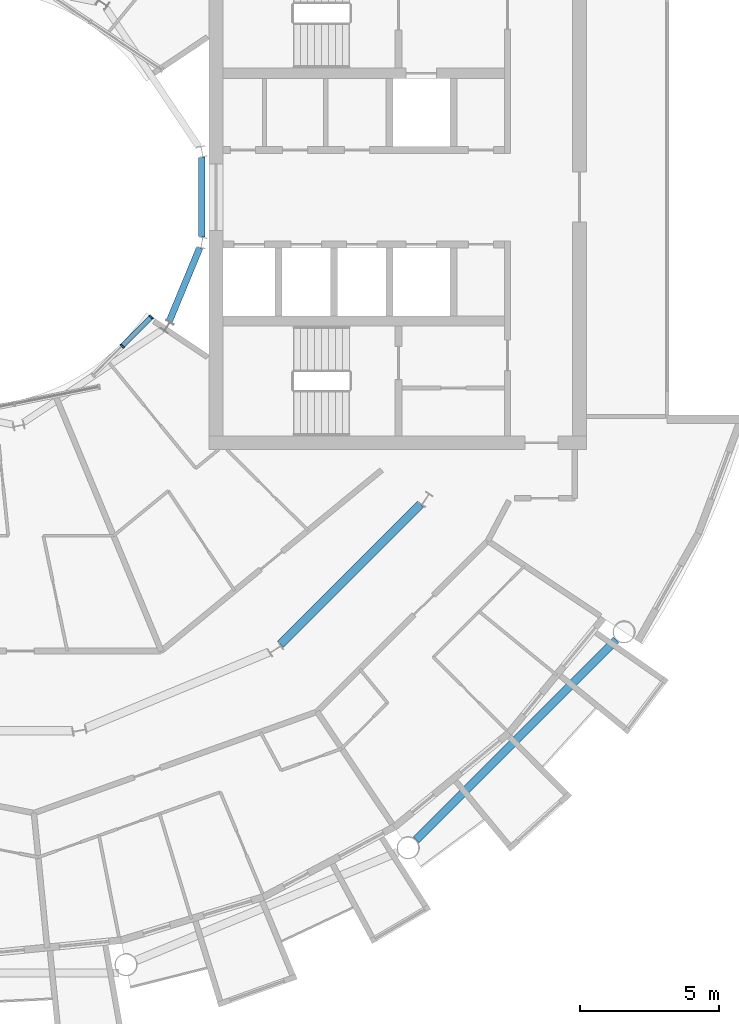
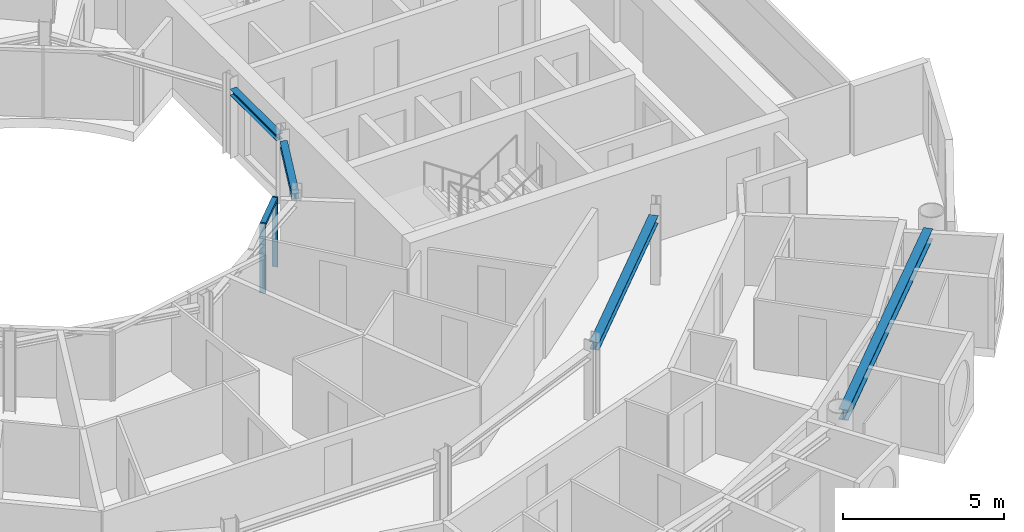
# One storey, part 7 of 26: 4 beams, 3 members, 1 element without a shape of its own.
"""IFC4 building model written with IfcOpenShell, lengths in metres."""

from ifc_helpers import new_model, si_unit, direction, frame, origin, origin_2d, place, context, subcontext, project, spatial, rectangle, i_section, extrude, material, layer, layer_set, material_profile, profile_set, type_object, element, aggregate, save


model = new_model("IFC4")

# Units and contexts
model_context = context("Model", 3, precision=1e-05, world=origin(), true_north=direction((0.0, 1.0)))
body_context = subcontext(model_context, "Body", "Model", "MODEL_VIEW")
ifc_project = project(units=[si_unit("LENGTHUNIT", "METRE"), si_unit("AREAUNIT", "SQUARE_METRE"), si_unit("VOLUMEUNIT", "CUBIC_METRE"), si_unit("PLANEANGLEUNIT", "RADIAN"), si_unit("MASSUNIT", "GRAM", prefix="KILO")], contexts=[model_context])

# Site, building, storey
site_placement = place(None, origin())
site = spatial("IfcSite", under=ifc_project, at=site_placement, CompositionType="ELEMENT")
building_placement = place(site_placement, origin())
building = spatial("IfcBuilding", under=site, at=building_placement, Name="Maasbend Ring Residences", CompositionType="ELEMENT")
storey_placement = place(building_placement, frame((0.0, 0.0, 176.85009765625)))
storey = spatial("IfcBuildingStorey", under=building, at=storey_placement, Name="L51", CompositionType="ELEMENT", Elevation=176.85009765625)

# Curtain wall, members
ifc_material_1 = material(Name="Aluminium and clear glass", Category="aluminium")
ifc_layer = layer(ifc_material_1, 0.179931640625)
ifc_layer_set = layer_set([ifc_layer], Name="CW-W")
curtain_wall_type = type_object("IfcCurtainWallType", Name="CW-W", PredefinedType="NOTDEFINED", material=ifc_layer_set)
curtain_wall_placement = place(storey_placement, origin())
curtain_wall = element("IfcCurtainWall", 1, at=curtain_wall_placement, inside=storey, type_object=curtain_wall_type, Name="Well curtain wall S3", PredefinedType="NOTDEFINED")
ifc_material_2 = material(Name="Aluminium 6063-T6", Category="aluminium")
ifc_material_profile_1 = material_profile(ifc_material_2, rectangle(XDim=0.179931640625, YDim=0.06005859375, at=origin_2d()), Name="AL 180x60")
ifc_profile_set_1 = profile_set([ifc_material_profile_1], Name="Aluminium 6063-T6")
member_type_1 = type_object("IfcMemberType", Name="CWM-W", PredefinedType="MULLION", material=ifc_profile_set_1)
member_1_placement = place(storey_placement, frame((5.366943359375, -5.366943359375, 0.0), z_axis=(0.0, 0.0, 1.0), x_axis=(-0.707106781187, 0.707106781187, 0.0)))
member_1 = element("IfcMember", 2, at=member_1_placement, type_object=member_type_1, Name="Mullion well face", PredefinedType="MULLION", context=body_context, shape_type="SweptSolid", body=[
    extrude(rectangle(XDim=0.179931640625, YDim=0.06005859375, at=origin_2d()), origin(), (0.0, 0.0, 1.0), 2.64990234375),
])
member_2_placement = place(storey_placement, frame((6.413330078125, -4.320556640625, 0.0), z_axis=(0.0, 0.0, 1.0), x_axis=(-0.707106781187, 0.707106781187, 0.0)))
member_2 = element("IfcMember", 3, at=member_2_placement, type_object=member_type_1, Name="Mullion well face", PredefinedType="MULLION", context=body_context, shape_type="SweptSolid", body=[
    extrude(rectangle(XDim=0.179931640625, YDim=0.06005859375, at=origin_2d()), origin(), (0.0, 0.0, 1.0), 2.64990234375),
])
ifc_material_3 = material(Name="Aluminium 6063-T6", Category="aluminium")
ifc_material_profile_2 = material_profile(ifc_material_3, rectangle(XDim=0.179931640625, YDim=0.1201171875, at=origin_2d()), Name="AL 180x120")
ifc_profile_set_2 = profile_set([ifc_material_profile_2], Name="Aluminium 6063-T6")
member_type_2 = type_object("IfcMemberType", Name="CWT-W", PredefinedType="USERDEFINED", material=ifc_profile_set_2)
member_3_placement = place(storey_placement, frame((5.38818359375, -5.345703125, 2.58984375), z_axis=(0.707106781187, 0.707106781187, 0.0), x_axis=(-0.707106781187, 0.707106781187, 0.0)))
member_3 = element("IfcMember", 4, at=member_3_placement, type_object=member_type_2, Name="Transom well face", ObjectType="TRANSOM", PredefinedType="USERDEFINED", context=body_context, shape_type="SweptSolid", body=[
    extrude(rectangle(XDim=0.179931640625, YDim=0.1201171875, at=origin_2d()), origin(), (0.0, 0.0, 1.0), 1.419677734375),
])
aggregate(curtain_wall, [member_1, member_2, member_3])

# Beams
ifc_material_4 = material(Name="Steel S355J2", Category="steel")
ifc_material_profile_3 = material_profile(ifc_material_4, i_section(OverallWidth=0.300048828125, OverallDepth=0.2900390625, WebThickness=0.008544921875, FlangeThickness=0.013916015625, FilletRadius=0.027099609375, at=origin_2d()), Name="HEA 300")
ifc_profile_set_3 = profile_set([ifc_material_profile_3], Name="Steel S355J2")
beam_type_1 = type_object("IfcBeamType", Name="Corridor ring beam HEA 300", PredefinedType="BEAM", material=ifc_profile_set_3)
beam_1_placement = place(storey_placement, frame((11.0693359375, -16.11669921875, 2.5048828125), z_axis=(0.707106781187, 0.707106781187, 0.0), x_axis=(-0.707106781187, 0.707106781187, 0.0)))
element("IfcBeam", 5, at=beam_1_placement, inside=storey, type_object=beam_type_1, Name="Corridor ring beam", PredefinedType="BEAM", context=body_context, shape_type="SweptSolid", body=[
    extrude(i_section(OverallWidth=0.300048828125, OverallDepth=0.2900390625, WebThickness=0.008544921875, FlangeThickness=0.013916015625, FilletRadius=0.027099609375, at=origin_2d()), origin(), (0.0, 0.0, 1.0), 7.137939453125),
])
ifc_material_5 = material(Name="Steel S355J2", Category="steel")
ifc_material_profile_4 = material_profile(ifc_material_5, i_section(OverallWidth=0.300048828125, OverallDepth=0.39990234375, WebThickness=0.013427734375, FlangeThickness=0.02392578125, FilletRadius=0.027099609375, at=origin_2d()), Name="HEB 400")
ifc_profile_set_4 = profile_set([ifc_material_profile_4], Name="Steel S355J2")
beam_type_2 = type_object("IfcBeamType", Name="Spandrel ring beam HEB 400", PredefinedType="SPANDREL", material=ifc_profile_set_4)
beam_2_placement = place(storey_placement, frame((15.95458984375, -23.159912109375, 2.449951171875), z_axis=(0.707106781187, 0.707106781187, 0.0), x_axis=(-0.707106781187, 0.707106781187, 0.0)))
element("IfcBeam", 6, at=beam_2_placement, inside=storey, type_object=beam_type_2, Name="Spandrel ring beam", PredefinedType="SPANDREL", context=body_context, shape_type="SweptSolid", body=[
    extrude(i_section(OverallWidth=0.300048828125, OverallDepth=0.39990234375, WebThickness=0.013427734375, FlangeThickness=0.02392578125, FilletRadius=0.027099609375, at=origin_2d()), origin(), (0.0, 0.0, 1.0), 10.18994140625),
])
ifc_material_6 = material(Name="Steel S355J2", Category="steel")
ifc_material_profile_5 = material_profile(ifc_material_6, i_section(OverallWidth=0.239990234375, OverallDepth=0.22998046875, WebThickness=0.007568359375, FlangeThickness=0.011962890625, FilletRadius=0.02099609375, at=origin_2d()), Name="HEA 240")
ifc_profile_set_5 = profile_set([ifc_material_profile_5], Name="Steel S355J2")
beam_type_3 = type_object("IfcBeamType", Name="Well edge beam HEA 240", PredefinedType="BEAM", material=ifc_profile_set_5)
for number, where, z_axis, x_axis, name in (
    (7, (7.060302734375, -4.483154296875, 2.534912109375), (0.382748596828, 0.923852537814, 0.0), (-0.923852537814, 0.382748596828, 0.0), "Well edge beam"),
    (8, (8.238525390625, -1.43994140625, 2.534912109375), (0.0, 1.0, 0.0), (-1.0, 0.0, 0.0), "Well edge beam"),
):
    element("IfcBeam", number, at=place(storey_placement, frame(where, z_axis=z_axis, x_axis=x_axis)), inside=storey, type_object=beam_type_3, Name=name, PredefinedType="BEAM", context=body_context, shape_type="SweptSolid", body=[
        extrude(i_section(OverallWidth=0.239990234375, OverallDepth=0.22998046875, WebThickness=0.007568359375, FlangeThickness=0.011962890625, FilletRadius=0.02099609375, at=origin_2d()), origin(), (0.0, 0.0, 1.0), 2.8798828125),
    ])

save(model, "model.ifc")
